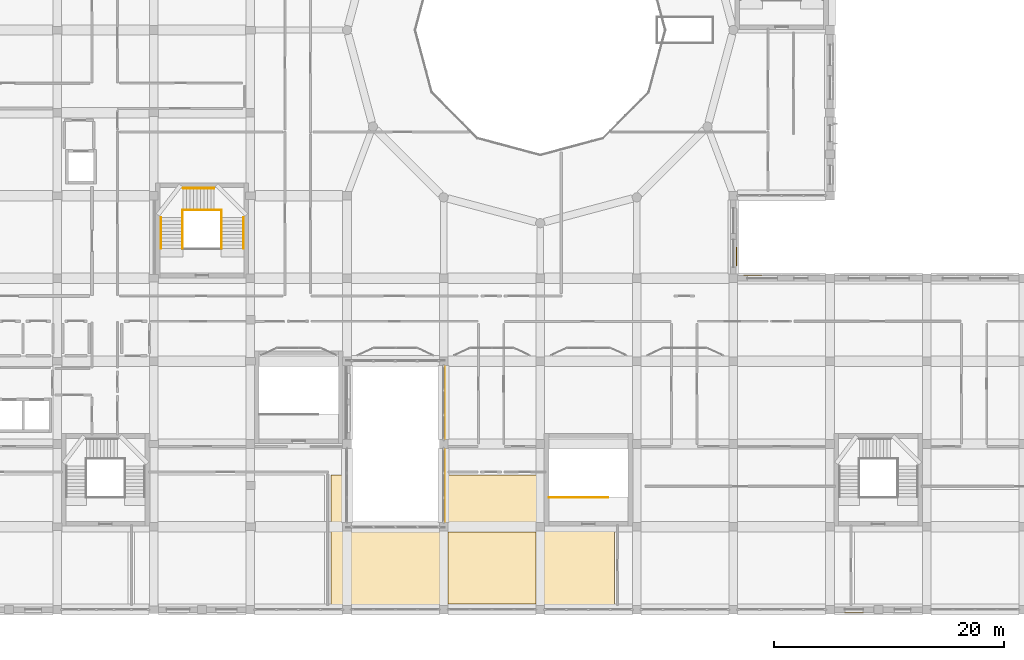
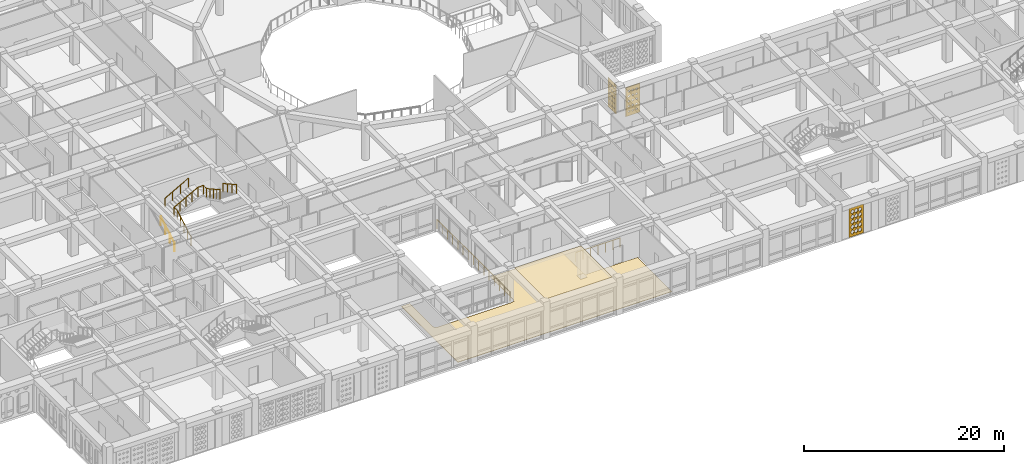
# One storey, part 96 of 121: 8 railings, 5 coverings.
"""IFC4 building model written with IfcOpenShell, lengths in metres."""

import ifcopenshell
import ifcopenshell.guid

model = None  # the IFC model being written
_history = None  # IfcOwnerHistory: only IFC2X3 demands one
_inside = {}  # id of a spatial element -> (the spatial element, [elements in it])
_under = {}  # id of a project, library or spatial element -> (it, [spatial elements below it])
_declared = {}  # id of a project -> (the project, [libraries it declares])
_typed = {}  # id of a type object -> (the type object, [elements of that type])
_made_of = {}  # id of a material, layer set ... -> (it, [elements and type objects made of it])


def new_model(schema):
    """Start an empty IFC model of exactly this schema.

    Asked for "IFC4X3", IfcOpenShell would pick the latest addendum, in which some entities
    have other attributes; the version numbers below select the first issue.
    IFC2X3 requires an IfcOwnerHistory on every rooted entity: one is made here for all.
    """
    global model, _history
    if schema == "IFC4X3":
        model = ifcopenshell.file(schema_version=(4, 3, 0, 0))
    else:
        model = ifcopenshell.file(schema=schema)
    _inside.clear()
    _under.clear()
    _declared.clear()
    _typed.clear()
    _made_of.clear()
    _history = None
    if model.schema == "IFC2X3":
        org = make("IfcOrganization", Name="unknown")
        user = make(
            "IfcPersonAndOrganization",
            ThePerson=make("IfcPerson", FamilyName="unknown"),
            TheOrganization=org,
        )
        app = make(
            "IfcApplication",
            ApplicationDeveloper=org,
            Version="unknown",
            ApplicationFullName="unknown",
            ApplicationIdentifier="unknown",
        )
        _history = make(
            "IfcOwnerHistory",
            OwningUser=user,
            OwningApplication=app,
            ChangeAction="ADDED",
            CreationDate=0,
        )
    return model


def make(cls, **values):
    """One entity of the class cls with the attributes given. An attribute that is None is left unset."""
    return model.create_entity(
        cls, **{name: value for name, value in values.items() if value is not None}
    )


def rooted(cls, **values):
    """An entity with a GlobalId (a new one), such as an element, a storey or a relation."""
    return make(cls, GlobalId=ifcopenshell.guid.new(), OwnerHistory=_history, **values)


def si_unit(unit_type, name, prefix=None):
    """IfcSIUnit, for example si_unit("LENGTHUNIT", "METRE", prefix="MILLI")."""
    return make("IfcSIUnit", UnitType=unit_type, Prefix=prefix, Name=name)


def derived_unit(unit_type, elements):
    """IfcDerivedUnit: a product of units, each with its exponent."""
    return make(
        "IfcDerivedUnit",
        Elements=[
            make("IfcDerivedUnitElement", Unit=unit, Exponent=power)
            for unit, power in elements
        ],
        UnitType=unit_type,
    )


def assignment(units):
    """IfcUnitAssignment: the units of a project."""
    return None if units is None else make("IfcUnitAssignment", Units=units)


def point(xyz):
    """IfcCartesianPoint."""
    return None if xyz is None else make("IfcCartesianPoint", Coordinates=xyz)


def direction(xyz):
    """IfcDirection."""
    return None if xyz is None else make("IfcDirection", DirectionRatios=xyz)


def frame(location, z_axis=None, x_axis=None):
    """IfcAxis2Placement3D, a coordinate frame: its origin and axes. An axis left out is left unset."""
    return make(
        "IfcAxis2Placement3D",
        Location=point(location),
        Axis=direction(z_axis),
        RefDirection=direction(x_axis),
    )


def frame_2d(location, x_axis=None):
    """IfcAxis2Placement2D, a coordinate frame in the plane: its origin and x axis."""
    return make(
        "IfcAxis2Placement2D", Location=point(location), RefDirection=direction(x_axis)
    )


def origin():
    """The frame at (0, 0, 0) with its axes left unset."""
    return frame((0.0, 0.0, 0.0))


def origin_2d():
    """The frame at (0, 0) in the plane with its x axis left unset."""
    return frame_2d((0.0, 0.0))


def place(relative_to, where):
    """IfcLocalPlacement: puts the frame where relative to a parent placement (None: the world)."""
    return make(
        "IfcLocalPlacement", PlacementRelTo=relative_to, RelativePlacement=where
    )


def context(
    kind, dimensions, precision=None, world=None, true_north=None, identifier=None
):
    """IfcGeometricRepresentationContext, for example the 3D "Model" context."""
    return make(
        "IfcGeometricRepresentationContext",
        ContextIdentifier=identifier,
        ContextType=kind,
        CoordinateSpaceDimension=dimensions,
        Precision=precision,
        WorldCoordinateSystem=world,
        TrueNorth=true_north,
    )


def subcontext(parent, identifier, kind, view, scale=None):
    """IfcGeometricRepresentationSubContext, for example "Body" below "Model"."""
    return make(
        "IfcGeometricRepresentationSubContext",
        ContextIdentifier=identifier,
        ContextType=kind,
        ParentContext=parent,
        TargetScale=scale,
        TargetView=view,
    )


def project(units=None, contexts=None):
    """IfcProject with its units and contexts."""
    return rooted(
        "IfcProject",
        Name="project",
        RepresentationContexts=contexts,
        UnitsInContext=assignment(units),
    )


def spatial(cls, under=None, at=None, **own):
    """A site, building, storey or space (cls), placed at a placement, below another one or the project."""
    s = rooted(cls, ObjectPlacement=at, **own)
    if under is not None:
        _under.setdefault(under.id(), (under, []))[1].append(s)
    return s


def polyline(points):
    """IfcPolyline through the points."""
    return make("IfcPolyline", Points=[point(p) for p in points])


def profile(cls, at=None, kind="AREA", **sizes):
    """A parametric profile (cls). Its sizes go by their IFC names, for example OverallWidth=200.0."""
    return make(cls, ProfileType=kind, Position=at, **sizes)


def circle(**sizes):
    """IfcCircleProfileDef."""
    return profile("IfcCircleProfileDef", **sizes)


def outline(outer, holes=None, kind="AREA"):
    """IfcArbitraryClosedProfileDef: a profile drawn as a closed curve; with holes, ...WithVoids."""
    if holes is None:
        return make("IfcArbitraryClosedProfileDef", ProfileType=kind, OuterCurve=outer)
    return make(
        "IfcArbitraryProfileDefWithVoids",
        ProfileType=kind,
        OuterCurve=outer,
        InnerCurves=holes,
    )


def extrude(swept, where, along, depth):
    """IfcExtrudedAreaSolid: the profile swept, set in the frame where, extruded along a direction by depth."""
    return make(
        "IfcExtrudedAreaSolid",
        SweptArea=swept,
        Position=where,
        ExtrudedDirection=direction(along),
        Depth=depth,
    )


def shape(context_of_items, identifier, shape_type, items):
    """IfcShapeRepresentation: the items that make up one representation, for example the "Body"."""
    return make(
        "IfcShapeRepresentation",
        ContextOfItems=context_of_items,
        RepresentationIdentifier=identifier,
        RepresentationType=shape_type,
        Items=items,
    )


def material(Name=None, Category=None):
    """IfcMaterial."""
    return make("IfcMaterial", Name=Name, Category=Category)


def layer(
    of_material, thickness, ventilated=None, Name=None, Category=None, Priority=None
):
    """IfcMaterialLayer: one layer of a wall or slab, of a material (None: an air gap)."""
    return make(
        "IfcMaterialLayer",
        Material=of_material,
        LayerThickness=thickness,
        IsVentilated=ventilated,
        Name=Name,
        Category=Category,
        Priority=Priority,
    )


def layer_set(layers, Name=None):
    """IfcMaterialLayerSet."""
    return make("IfcMaterialLayerSet", MaterialLayers=layers, LayerSetName=Name)


def made_of(thing, what):
    """Note that an element or type object is made of a material, layer set ...; save() writes the relation."""
    if what is not None:
        _made_of.setdefault(what.id(), (what, []))[1].append(thing)
    return thing


def type_object(cls, material=None, **own):
    """A type object (cls), such as IfcWallType, which elements share."""
    return made_of(rooted(cls, **own), material)


def element(
    cls,
    number,
    at=None,
    inside=None,
    cuts=None,
    type_object=None,
    material=None,
    context=None,
    identifier="Body",
    shape_type=None,
    held_by="IfcProductDefinitionShape",
    body=None,
    shapes=None,
    **own,
):
    """One element of the class cls, such as IfcWall. Its Tag is "e" and its number.

    at: its placement. inside: the storey or other place that contains it. cuts: it is an
    opening in that element (IfcRelVoidsElement). A single representation is given by context,
    identifier, shape_type and body (its items); several are given by shapes. held_by: the class
    of the entity that holds the representations. save() writes the other relations.
    """
    e = rooted(cls, Tag="e%d" % number, ObjectPlacement=at, **own)
    if body is not None:
        shapes = [shape(context, identifier, shape_type, body)]
    if shapes is not None:
        e.Representation = make(held_by, Representations=shapes)
    if inside is not None:
        _inside.setdefault(inside.id(), (inside, []))[1].append(e)
    if cuts is not None:
        rooted(
            "IfcRelVoidsElement", RelatingBuildingElement=cuts, RelatedOpeningElement=e
        )
    if type_object is not None:
        _typed.setdefault(type_object.id(), (type_object, []))[1].append(e)
    return made_of(e, material)


def aggregate(whole, parts):
    """IfcRelAggregates: a whole, such as a stair, and the parts it consists of."""
    return rooted("IfcRelAggregates", RelatingObject=whole, RelatedObjects=parts)


def save(model, path):
    """Write the relations noted so far, then the file.

    IfcRelAggregates (storeys below a building ...), IfcRelContainedInSpatialStructure (elements
    in a storey), IfcRelDefinesByType, IfcRelAssociatesMaterial and IfcRelDeclares: one each for
    every whole, place, type object, material and project.
    """
    for whole, parts in _under.values():
        aggregate(whole, parts)
    for where, things in _inside.values():
        rooted(
            "IfcRelContainedInSpatialStructure",
            RelatedElements=things,
            RelatingStructure=where,
        )
    for kind, things in _typed.values():
        rooted("IfcRelDefinesByType", RelatedObjects=things, RelatingType=kind)
    for what, things in _made_of.values():
        rooted("IfcRelAssociatesMaterial", RelatedObjects=things, RelatingMaterial=what)
    for by, libraries in _declared.values():
        rooted("IfcRelDeclares", RelatingContext=by, RelatedDefinitions=libraries)
    model.write(path)


model = new_model("IFC4")

# Units and contexts
model_context = context("Model", 3, precision=1e-05, world=origin(), true_north=direction((0.0, 1.0)))
body_context = subcontext(model_context, "Body", "Model", "MODEL_VIEW")
ifc_project = project(units=[si_unit("LENGTHUNIT", "METRE"), si_unit("AREAUNIT", "SQUARE_METRE"), si_unit("VOLUMEUNIT", "CUBIC_METRE"), si_unit("PLANEANGLEUNIT", "RADIAN"), si_unit("MASSUNIT", "GRAM", prefix="KILO"), derived_unit("THERMALTRANSMITTANCEUNIT", [(si_unit("POWERUNIT", "WATT"), 1), (si_unit("LENGTHUNIT", "METRE"), -2), (si_unit("THERMODYNAMICTEMPERATUREUNIT", "KELVIN"), -1)])], contexts=[model_context])

# Site, building, storey
site_placement = place(None, origin())
site = spatial("IfcSite", under=ifc_project, at=site_placement, CompositionType="ELEMENT")
building_placement = place(site_placement, origin())
building = spatial("IfcBuilding", under=site, at=building_placement, Name="Veybourne Emporium", CompositionType="ELEMENT")
storey_placement = place(building_placement, frame((0.0, 0.0, 5.39990234375)))
storey = spatial("IfcBuildingStorey", under=building, at=storey_placement, Name="L01", CompositionType="ELEMENT", Elevation=5.39990234375)

# Railing
ifc_material_1 = material(Name="Patinated Architectural Bronze", Category="bronze")
railing_type_1 = type_object("IfcRailingType", Name="Balustrade_BL-01", PredefinedType="BALUSTRADE", material=ifc_material_1)
railing_1_placement = place(storey_placement, frame((67.260009765625, 7.139892578125, 0.0)))
element("IfcRailing", 1, at=railing_1_placement, inside=storey, type_object=railing_type_1, Name="L01 shopping arcade gallery balustrade 2", PredefinedType="BALUSTRADE", context=body_context, shape_type="SweptSolid", body=[
    extrude(circle(Radius=0.02392578125, at=origin_2d()), frame((0.0, 0.0, 1.1259765625), z_axis=(0.0, 1.0, 0.0), x_axis=(-1.0, 0.0, 0.0)), (0.0, 0.0, 1.0), 14.52001953125),
    extrude(circle(Radius=0.02099609375, at=origin_2d()), origin(), (0.0, 0.0, 1.0), 1.101806640625),
    extrude(circle(Radius=0.02099609375, at=origin_2d()), frame((0.0, 1.037109375, 0.0)), (0.0, 0.0, 1.0), 1.101806640625),
    extrude(circle(Radius=0.02099609375, at=origin_2d()), frame((0.0, 2.07421875, 0.0)), (0.0, 0.0, 1.0), 1.101806640625),
    extrude(circle(Radius=0.02099609375, at=origin_2d()), frame((0.0, 3.111328125, 0.0)), (0.0, 0.0, 1.0), 1.101806640625),
    extrude(circle(Radius=0.02099609375, at=origin_2d()), frame((0.0, 4.148681640625, 0.0)), (0.0, 0.0, 1.0), 1.101806640625),
    extrude(circle(Radius=0.02099609375, at=origin_2d()), frame((0.0, 5.185791015625, 0.0)), (0.0, 0.0, 1.0), 1.101806640625),
    extrude(circle(Radius=0.02099609375, at=origin_2d()), frame((0.0, 6.222900390625, 0.0)), (0.0, 0.0, 1.0), 1.101806640625),
    extrude(circle(Radius=0.02099609375, at=origin_2d()), frame((0.0, 7.260009765625, 0.0)), (0.0, 0.0, 1.0), 1.101806640625),
    extrude(circle(Radius=0.02099609375, at=origin_2d()), frame((0.0, 8.297119140625, 0.0)), (0.0, 0.0, 1.0), 1.101806640625),
    extrude(circle(Radius=0.02099609375, at=origin_2d()), frame((0.0, 9.334228515625, 0.0)), (0.0, 0.0, 1.0), 1.101806640625),
    extrude(circle(Radius=0.02099609375, at=origin_2d()), frame((0.0, 10.371337890625, 0.0)), (0.0, 0.0, 1.0), 1.101806640625),
    extrude(circle(Radius=0.02099609375, at=origin_2d()), frame((0.0, 11.40869140625, 0.0)), (0.0, 0.0, 1.0), 1.101806640625),
    extrude(circle(Radius=0.02099609375, at=origin_2d()), frame((0.0, 12.44580078125, 0.0)), (0.0, 0.0, 1.0), 1.101806640625),
    extrude(circle(Radius=0.02099609375, at=origin_2d()), frame((0.0, 13.48291015625, 0.0)), (0.0, 0.0, 1.0), 1.101806640625),
    extrude(circle(Radius=0.02099609375, at=origin_2d()), frame((0.0, 14.52001953125, 0.0)), (0.0, 0.0, 1.0), 1.101806640625),
])

# Coverings
ifc_material_2 = material(Name="Mineral Acoustic Ceiling", Category="gypsum")
ifc_layer_1 = layer(ifc_material_2, 0.02490234375)
ifc_layer_set_1 = layer_set([ifc_layer_1], Name="Mineral Acoustic Ceiling")
covering_type_1 = type_object("IfcCoveringType", Name="Ceiling_CLG-01", PredefinedType="CEILING", material=ifc_layer_set_1)
covering_1_placement = place(storey_placement, frame((0.0, 0.0, 4.155029296875)))
element("IfcCovering", 2, at=covering_1_placement, inside=storey, type_object=covering_type_1, Name="L01 coffered acoustic ceiling 03", PredefinedType="CEILING", context=body_context, shape_type="SweptSolid", body=[
    extrude(outline(polyline([(67.574951171875, 6.820068359375), (67.574951171875, 6.751953125), (75.22509765625, 6.751953125), (75.22509765625, 6.820068359375), (75.22705078125, 6.820068359375), (75.22705078125, 0.43994140625), (75.22509765625, 0.43994140625), (75.22509765625, 0.472900390625), (67.574951171875, 0.472900390625), (67.574951171875, 0.43994140625), (67.572998046875, 0.43994140625), (67.572998046875, 6.820068359375), (67.574951171875, 6.820068359375)])), origin(), (0.0, 0.0, 1.0), 0.025146484375),
])
ifc_material_3 = material(Name="Venetian Terrazzo Flooring", Category="masonry")
ifc_layer_2 = layer(ifc_material_3, 0.044921875)
ifc_layer_set_2 = layer_set([ifc_layer_2], Name="Venetian Terrazzo Flooring")
covering_type_2 = type_object("IfcCoveringType", Name="Flooring_FLR-01", PredefinedType="FLOORING", material=ifc_layer_set_2)
covering_2_placement = place(storey_placement, origin())
element("IfcCovering", 3, at=covering_2_placement, inside=storey, type_object=covering_type_2, Name="L01 floor finish 03", PredefinedType="FLOORING", context=body_context, shape_type="SweptSolid", body=[
    extrude(outline(polyline([(58.3603515625, 7.190185546875), (58.361328125, 7.166748046875), (58.36328125, 7.147216796875), (58.36669921875, 7.123779296875), (58.37060546875, 7.1044921875), (58.376220703125, 7.081787109375), (58.382080078125, 7.06298828125), (58.389892578125, 7.040771484375), (58.3974609375, 7.022705078125), (58.407470703125, 7.00146484375), (58.416748046875, 6.984130859375), (58.419921875, 6.978759765625), (58.419921875, 6.820068359375), (58.57861328125, 6.820068359375), (58.583984375, 6.81689453125), (58.601318359375, 6.8076171875), (58.62255859375, 6.79736328125), (58.640625, 6.7900390625), (58.662841796875, 6.781982421875), (58.681640625, 6.7763671875), (58.70458984375, 6.7705078125), (58.723876953125, 6.766845703125), (58.7470703125, 6.763427734375), (58.7666015625, 6.761474609375), (58.7900390625, 6.76025390625), (58.800048828125, 6.760009765625), (67.199951171875, 6.760009765625), (67.2099609375, 6.76025390625), (67.2333984375, 6.761474609375), (67.2529296875, 6.763427734375), (67.276123046875, 6.766845703125), (67.29541015625, 6.7705078125), (67.318359375, 6.7763671875), (67.337158203125, 6.781982421875), (67.359375, 6.7900390625), (67.37744140625, 6.79736328125), (67.398681640625, 6.8076171875), (67.416015625, 6.81689453125), (67.42138671875, 6.820068359375), (67.580078125, 6.820068359375), (67.580078125, 6.978759765625), (67.583251953125, 6.984130859375), (67.592529296875, 7.00146484375), (67.6025390625, 7.022705078125), (67.610107421875, 7.040771484375), (67.617919921875, 7.06298828125), (67.623779296875, 7.081787109375), (67.62939453125, 7.1044921875), (67.63330078125, 7.123779296875), (67.63671875, 7.147216796875), (67.638671875, 7.166748046875), (67.6396484375, 7.190185546875), (67.639892578125, 7.199951171875), (67.639892578125, 11.68994140625), (75.989990234375, 11.68994140625), (75.989990234375, 7.64990234375), (75.990234375, 7.64013671875), (75.990966796875, 7.62451171875), (75.992919921875, 7.60498046875), (75.9951171875, 7.589599609375), (75.9990234375, 7.570068359375), (76.0029296875, 7.554931640625), (76.008544921875, 7.5361328125), (76.013916015625, 7.521484375), (76.021484375, 7.503173828125), (76.028076171875, 7.489013671875), (76.037353515625, 7.4716796875), (76.04541015625, 7.458251953125), (76.056396484375, 7.44189453125), (76.065673828125, 7.42919921875), (76.078125, 7.414306640625), (76.088623046875, 7.402587890625), (76.1025390625, 7.388671875), (76.1142578125, 7.378173828125), (76.12939453125, 7.36572265625), (76.141845703125, 7.3564453125), (76.158203125, 7.345458984375), (76.171875, 7.33740234375), (76.18896484375, 7.328125), (76.203369140625, 7.3212890625), (76.221435546875, 7.31396484375), (76.236083984375, 7.30859375), (76.2548828125, 7.302978515625), (76.270263671875, 7.299072265625), (76.28955078125, 7.295166015625), (76.304931640625, 7.29296875), (76.324462890625, 7.291015625), (76.340087890625, 7.290283203125), (76.35009765625, 7.2900390625), (82.050048828125, 7.2900390625), (82.050048828125, 0.43994140625), (57.409912109375, 0.43994140625), (57.409912109375, 11.68994140625), (58.360107421875, 11.68994140625), (58.360107421875, 7.199951171875), (58.3603515625, 7.190185546875)]), holes=[polyline([(75.97998046875, 7.580078125), (75.219970703125, 7.580078125), (75.219970703125, 6.820068359375), (75.97998046875, 6.820068359375), (75.97998046875, 7.580078125)])]), origin(), (0.0, 0.0, 1.0), 0.045166015625),
])

# Railings
ifc_material_4 = material(Name="Brushed Stainless Steel", Category="steel")
railing_type_2 = type_object("IfcRailingType", Name="Guard_GR-01", PredefinedType="GUARDRAIL", material=ifc_material_4)
railing_2_placement = place(storey_placement, frame((44.510009765625, 31.39990234375, 0.0)))
element("IfcRailing", 4, at=railing_2_placement, inside=storey, type_object=railing_type_2, Name="L01 ST-05 stair guard 1", PredefinedType="GUARDRAIL", context=body_context, shape_type="SweptSolid", body=[
    extrude(circle(Radius=0.02392578125, at=origin_2d()), frame((0.0, 0.0, 1.1259765625), z_axis=(0.0, 0.874172188743, 0.48561608749), x_axis=(-1.0, 0.0, 0.0)), (0.0, 0.0, 1.0), 3.0888671875),
    extrude(circle(Radius=0.02392578125, at=origin_2d()), frame((0.0, 2.7001953125, 2.6259765625), z_axis=(0.0, 1.0, 0.0), x_axis=(-1.0, 0.0, 0.0)), (0.0, 0.0, 1.0), 0.639892578125),
    extrude(circle(Radius=0.02099609375, at=origin_2d()), origin(), (0.0, 0.0, 1.0), 1.101806640625),
    extrude(circle(Radius=0.02099609375, at=origin_2d()), frame((0.0, 0.675048828125, 0.375)), (0.0, 0.0, 1.0), 1.101806640625),
    extrude(circle(Radius=0.02099609375, at=origin_2d()), frame((0.0, 1.35009765625, 0.75)), (0.0, 0.0, 1.0), 1.101806640625),
    extrude(circle(Radius=0.02099609375, at=origin_2d()), frame((0.0, 2.025146484375, 1.125)), (0.0, 0.0, 1.0), 1.101806640625),
    extrude(circle(Radius=0.02099609375, at=origin_2d()), frame((0.0, 2.7001953125, 1.5)), (0.0, 0.0, 1.0), 1.101806640625),
    extrude(circle(Radius=0.02099609375, at=origin_2d()), frame((0.0, 3.340087890625, 1.5)), (0.0, 0.0, 1.0), 1.101806640625),
])
railing_3_placement = place(storey_placement, frame((44.510009765625, 34.739990234375, 1.5)))
element("IfcRailing", 5, at=railing_3_placement, inside=storey, type_object=railing_type_2, Name="L01 ST-05 stair guard 2", PredefinedType="GUARDRAIL", context=body_context, shape_type="SweptSolid", body=[
    extrude(circle(Radius=0.02392578125, at=origin_2d()), frame((0.0, 0.0, 1.1259765625), z_axis=(0.87715976088, 0.0, 0.480198660861), x_axis=(0.0, 1.0, 0.0)), (0.0, 0.0, 1.0), 3.123779296875),
    extrude(circle(Radius=0.02392578125, at=origin_2d()), frame((2.739990234375, 0.0, 2.6259765625), z_axis=(1.0, 0.0, 0.0), x_axis=(0.0, 1.0, 0.0)), (0.0, 0.0, 1.0), 0.639892578125),
    extrude(circle(Radius=0.02099609375, at=origin_2d()), origin(), (0.0, 0.0, 1.0), 1.101806640625),
    extrude(circle(Radius=0.02099609375, at=origin_2d()), frame((0.68505859375, 0.0, 0.375)), (0.0, 0.0, 1.0), 1.101806640625),
    extrude(circle(Radius=0.02099609375, at=origin_2d()), frame((1.3701171875, 0.0, 0.75)), (0.0, 0.0, 1.0), 1.101806640625),
    extrude(circle(Radius=0.02099609375, at=origin_2d()), frame((2.054931640625, 0.0, 1.125)), (0.0, 0.0, 1.0), 1.101806640625),
    extrude(circle(Radius=0.02099609375, at=origin_2d()), frame((2.739990234375, 0.0, 1.5)), (0.0, 0.0, 1.0), 1.101806640625),
    extrude(circle(Radius=0.02099609375, at=origin_2d()), frame((3.3798828125, 0.0, 1.5)), (0.0, 0.0, 1.0), 1.101806640625),
])
railing_4_placement = place(storey_placement, frame((47.889892578125, 34.739990234375, 3.0)))
element("IfcRailing", 6, at=railing_4_placement, inside=storey, type_object=railing_type_2, Name="L01 ST-05 stair guard 3", PredefinedType="GUARDRAIL", context=body_context, shape_type="SweptSolid", body=[
    extrude(circle(Radius=0.02392578125, at=origin_2d()), frame((0.0, 0.0, 1.1259765625), z_axis=(0.0, -1.0, 0.0), x_axis=(1.0, 0.0, 0.0)), (0.0, 0.0, 1.0), 0.639892578125),
    extrude(circle(Radius=0.02392578125, at=origin_2d()), frame((0.0, -0.639892578125, 1.1259765625), z_axis=(0.0, -0.874172188743, 0.48561608749), x_axis=(1.0, 0.0, 0.0)), (0.0, 0.0, 1.0), 3.0888671875),
    extrude(circle(Radius=0.02099609375, at=origin_2d()), origin(), (0.0, 0.0, 1.0), 1.101806640625),
    extrude(circle(Radius=0.02099609375, at=origin_2d()), frame((0.0, -0.639892578125, 0.0)), (0.0, 0.0, 1.0), 1.101806640625),
    extrude(circle(Radius=0.02099609375, at=origin_2d()), frame((0.0, -1.31494140625, 0.375)), (0.0, 0.0, 1.0), 1.101806640625),
    extrude(circle(Radius=0.02099609375, at=origin_2d()), frame((0.0, -1.989990234375, 0.75)), (0.0, 0.0, 1.0), 1.101806640625),
    extrude(circle(Radius=0.02099609375, at=origin_2d()), frame((0.0, -2.6650390625, 1.125)), (0.0, 0.0, 1.0), 1.101806640625),
    extrude(circle(Radius=0.02099609375, at=origin_2d()), frame((0.0, -3.340087890625, 1.5)), (0.0, 0.0, 1.0), 1.101806640625),
])
railing_5_placement = place(storey_placement, frame((76.3701171875, 9.760009765625, 0.0)))
element("IfcRailing", 7, at=railing_5_placement, inside=storey, type_object=railing_type_2, Name="L01 ST-10 top well guardrail", PredefinedType="GUARDRAIL", context=body_context, shape_type="SweptSolid", body=[
    extrude(circle(Radius=0.02392578125, at=origin_2d()), frame((0.0, 0.0, 1.1259765625), z_axis=(1.0, 0.0, 0.0), x_axis=(0.0, 1.0, 0.0)), (0.0, 0.0, 1.0), 5.119873046875),
    extrude(circle(Radius=0.02099609375, at=origin_2d()), origin(), (0.0, 0.0, 1.0), 1.101806640625),
    extrude(circle(Radius=0.02099609375, at=origin_2d()), frame((0.853271484375, 0.0, 0.0)), (0.0, 0.0, 1.0), 1.101806640625),
    extrude(circle(Radius=0.02099609375, at=origin_2d()), frame((1.70654296875, 0.0, 0.0)), (0.0, 0.0, 1.0), 1.101806640625),
    extrude(circle(Radius=0.02099609375, at=origin_2d()), frame((2.56005859375, 0.0, 0.0)), (0.0, 0.0, 1.0), 1.101806640625),
    extrude(circle(Radius=0.02099609375, at=origin_2d()), frame((3.413330078125, 0.0, 0.0)), (0.0, 0.0, 1.0), 1.101806640625),
    extrude(circle(Radius=0.02099609375, at=origin_2d()), frame((4.2666015625, 0.0, 0.0)), (0.0, 0.0, 1.0), 1.101806640625),
    extrude(circle(Radius=0.02099609375, at=origin_2d()), frame((5.119873046875, 0.0, 0.0)), (0.0, 0.0, 1.0), 1.101806640625),
])
railing_type_3 = type_object("IfcRailingType", Name="Handrail_HR-01", PredefinedType="HANDRAIL", material=ifc_material_4)
railing_6_placement = place(storey_placement, frame((42.610107421875, 31.39990234375, 0.150146484375)))
element("IfcRailing", 8, at=railing_6_placement, inside=storey, type_object=railing_type_3, Name="L01 ST-05 pitch handrail 1", PredefinedType="HANDRAIL", context=body_context, shape_type="SweptSolid", body=[
    extrude(circle(Radius=0.02392578125, at=origin_2d()), frame((0.0, 0.0, 0.92578125), z_axis=(0.0, 0.874172188743, 0.48561608749), x_axis=(-1.0, 0.0, 0.0)), (0.0, 0.0, 1.0), 3.0888671875),
    extrude(circle(Radius=0.02099609375, at=origin_2d()), frame((0.0, 0.0, -0.14990234375)), (0.0, 0.0, 1.0), 1.0517578125),
    extrude(circle(Radius=0.02099609375, at=origin_2d()), frame((0.0, 0.900146484375, 0.35009765625)), (0.0, 0.0, 1.0), 1.0517578125),
    extrude(circle(Radius=0.02099609375, at=origin_2d()), frame((0.0, 1.800048828125, 0.85009765625)), (0.0, 0.0, 1.0), 1.0517578125),
    extrude(circle(Radius=0.02099609375, at=origin_2d()), frame((0.0, 2.7001953125, 1.35009765625)), (0.0, 0.0, 1.0), 1.0517578125),
])
railing_7_placement = place(storey_placement, frame((44.550048828125, 36.639892578125, 1.650146484375)))
element("IfcRailing", 9, at=railing_7_placement, inside=storey, type_object=railing_type_3, Name="L01 ST-05 pitch handrail 2", PredefinedType="HANDRAIL", context=body_context, shape_type="SweptSolid", body=[
    extrude(circle(Radius=0.02392578125, at=origin_2d()), frame((0.0, 0.0, 0.92578125), z_axis=(0.87415354758, 0.0, 0.485649642493), x_axis=(0.0, 1.0, 0.0)), (0.0, 0.0, 1.0), 3.088623046875),
    extrude(circle(Radius=0.02099609375, at=origin_2d()), frame((0.0, 0.0, -0.14990234375)), (0.0, 0.0, 1.0), 1.0517578125),
    extrude(circle(Radius=0.02099609375, at=origin_2d()), frame((0.89990234375, 0.0, 0.35009765625)), (0.0, 0.0, 1.0), 1.0517578125),
    extrude(circle(Radius=0.02099609375, at=origin_2d()), frame((1.800048828125, 0.0, 0.85009765625)), (0.0, 0.0, 1.0), 1.0517578125),
    extrude(circle(Radius=0.02099609375, at=origin_2d()), frame((2.699951171875, 0.0, 1.35009765625)), (0.0, 0.0, 1.0), 1.0517578125),
])
railing_8_placement = place(storey_placement, frame((49.7900390625, 34.10009765625, 3.150146484375)))
element("IfcRailing", 10, at=railing_8_placement, inside=storey, type_object=railing_type_3, Name="L01 ST-05 pitch handrail 3", PredefinedType="HANDRAIL", context=body_context, shape_type="SweptSolid", body=[
    extrude(circle(Radius=0.02392578125, at=origin_2d()), frame((0.0, 0.0, 0.92578125), z_axis=(0.0, -0.874172188743, 0.48561608749), x_axis=(1.0, 0.0, 0.0)), (0.0, 0.0, 1.0), 3.0888671875),
    extrude(circle(Radius=0.02099609375, at=origin_2d()), frame((0.0, 0.0, -0.14990234375)), (0.0, 0.0, 1.0), 1.0517578125),
    extrude(circle(Radius=0.02099609375, at=origin_2d()), frame((0.0, -0.900146484375, 0.35009765625)), (0.0, 0.0, 1.0), 1.0517578125),
    extrude(circle(Radius=0.02099609375, at=origin_2d()), frame((0.0, -1.800048828125, 0.85009765625)), (0.0, 0.0, 1.0), 1.0517578125),
    extrude(circle(Radius=0.02099609375, at=origin_2d()), frame((0.0, -2.7001953125, 1.35009765625)), (0.0, 0.0, 1.0), 1.0517578125),
])

# Coverings
ifc_material_5 = material(Name="Warm-White Perforated Aluminium Screen Alloy", Category="aluminium")
ifc_layer_3 = layer(ifc_material_5, 0.06005859375)
ifc_layer_set_3 = layer_set([ifc_layer_3], Name="Warm-White Perforated Aluminium Screen Alloy")
covering_type_3 = type_object("IfcCoveringType", Name="WaveScreen_SCR-01", PredefinedType="CLADDING", material=ifc_layer_set_3)
covering_3_placement = place(storey_placement, frame((92.697998046875, 30.719970703125, 1.815185546875), z_axis=(-1.0, 0.0, 0.0), x_axis=(0.0, -1.0, 0.0)))
element("IfcCovering", 11, at=covering_3_placement, inside=storey, type_object=covering_type_3, Name="L01 wave-perforated aluminium screen SCR-01 (44.3)", PredefinedType="CLADDING", context=body_context, shape_type="SweptSolid", body=[
    extrude(outline(polyline([(-0.81982421875, -1.7548828125), (0.81982421875, -1.7548828125), (0.81982421875, 1.7548828125), (-0.81982421875, 1.7548828125), (-0.81982421875, -1.7548828125)]), holes=[polyline([(-0.433349609375, -1.111328125), (-0.327880859375, -1.18603515625), (-0.327880859375, -1.27001953125), (-0.433349609375, -1.344482421875), (-0.538818359375, -1.27001953125), (-0.538818359375, -1.18603515625), (-0.433349609375, -1.111328125)]), polyline([(-0.433349609375, -0.49072265625), (-0.322509765625, -0.569580078125), (-0.322509765625, -0.658447265625), (-0.433349609375, -0.7373046875), (-0.544189453125, -0.658447265625), (-0.544189453125, -0.569580078125), (-0.433349609375, -0.49072265625)]), polyline([(-0.433349609375, 0.1318359375), (-0.3154296875, 0.047607421875), (-0.3154296875, -0.047607421875), (-0.433349609375, -0.1318359375), (-0.55126953125, -0.047607421875), (-0.55126953125, 0.047607421875), (-0.433349609375, 0.1318359375)]), polyline([(-0.433349609375, 0.75634765625), (-0.306884765625, 0.665283203125), (-0.306884765625, 0.562744140625), (-0.433349609375, 0.4716796875), (-0.559814453125, 0.562744140625), (-0.559814453125, 0.665283203125), (-0.433349609375, 0.75634765625)]), polyline([(-0.433349609375, 1.38232421875), (-0.297119140625, 1.28369140625), (-0.297119140625, 1.17236328125), (-0.433349609375, 1.07373046875), (-0.569580078125, 1.17236328125), (-0.569580078125, 1.28369140625), (-0.433349609375, 1.38232421875)]), polyline([(0.0, -1.11376953125), (0.103515625, -1.18701171875), (0.103515625, -1.26904296875), (0.0, -1.34228515625), (-0.103515625, -1.26904296875), (-0.103515625, -1.18701171875), (0.0, -1.11376953125)]), polyline([(0.0, -0.494140625), (0.108154296875, -0.57080078125), (0.108154296875, -0.6572265625), (0.0, -0.73388671875), (-0.108154296875, -0.6572265625), (-0.108154296875, -0.57080078125), (0.0, -0.494140625)]), polyline([(0.0, 0.127685546875), (0.114501953125, 0.0458984375), (0.114501953125, -0.0458984375), (0.0, -0.127685546875), (-0.114501953125, -0.0458984375), (-0.114501953125, 0.0458984375), (0.0, 0.127685546875)]), polyline([(0.0, 0.75146484375), (0.122314453125, 0.66357421875), (0.122314453125, 0.564453125), (0.0, 0.4765625), (-0.122314453125, 0.564453125), (-0.122314453125, 0.66357421875), (0.0, 0.75146484375)]), polyline([(0.0, 1.376708984375), (0.131591796875, 1.281494140625), (0.131591796875, 1.17431640625), (0.0, 1.0791015625), (-0.131591796875, 1.17431640625), (-0.131591796875, 1.281494140625), (0.0, 1.376708984375)]), polyline([(0.433349609375, -1.115478515625), (0.535400390625, -1.1875), (0.535400390625, -1.2685546875), (0.433349609375, -1.340576171875), (0.331298828125, -1.2685546875), (0.331298828125, -1.1875), (0.433349609375, -1.115478515625)]), polyline([(0.433349609375, -0.496826171875), (0.5390625, -0.57177734375), (0.5390625, -0.65625), (0.433349609375, -0.731201171875), (0.327392578125, -0.65625), (0.327392578125, -0.57177734375), (0.433349609375, -0.496826171875)]), polyline([(0.433349609375, 0.1240234375), (0.544677734375, 0.044677734375), (0.544677734375, -0.044677734375), (0.433349609375, -0.1240234375), (0.322021484375, -0.044677734375), (0.322021484375, 0.044677734375), (0.433349609375, 0.1240234375)]), polyline([(0.433349609375, 0.746826171875), (0.552001953125, 0.661865234375), (0.552001953125, 0.566162109375), (0.433349609375, 0.481201171875), (0.314697265625, 0.566162109375), (0.314697265625, 0.661865234375), (0.433349609375, 0.746826171875)]), polyline([(0.433349609375, 1.371337890625), (0.560791015625, 1.279541015625), (0.560791015625, 1.176513671875), (0.433349609375, 1.084716796875), (0.305908203125, 1.176513671875), (0.305908203125, 1.279541015625), (0.433349609375, 1.371337890625)])]), origin(), (0.0, 0.0, 1.0), 0.06005859375),
])
ifc_layer_4 = layer(ifc_material_5, 0.06005859375)
ifc_layer_set_4 = layer_set([ifc_layer_4], Name="Warm-White Perforated Aluminium Screen Alloy")
covering_type_4 = type_object("IfcCoveringType", Name="WaveScreen_SCR-02", PredefinedType="CLADDING", material=ifc_layer_set_4)
covering_4_placement = place(storey_placement, frame((94.080078125, 29.09814453125, 1.815185546875), z_axis=(0.0, -1.0, 0.0), x_axis=(1.0, 0.0, 0.0)))
element("IfcCovering", 12, at=covering_4_placement, inside=storey, type_object=covering_type_4, Name="L01 wave-perforated aluminium screen SCR-02 (47.1)", PredefinedType="CLADDING", context=body_context, shape_type="SweptSolid", body=[
    extrude(outline(polyline([(-0.81982421875, -1.7548828125), (0.81982421875, -1.7548828125), (0.81982421875, 1.7548828125), (-0.81982421875, 1.7548828125), (-0.81982421875, -1.7548828125)]), holes=[polyline([(-0.433349609375, -1.1162109375), (-0.331787109375, -1.187744140625), (-0.331787109375, -1.268310546875), (-0.433349609375, -1.339599609375), (-0.53466796875, -1.268310546875), (-0.53466796875, -1.187744140625), (-0.433349609375, -1.1162109375)]), polyline([(-0.433349609375, -0.498291015625), (-0.32861328125, -0.572265625), (-0.32861328125, -0.65576171875), (-0.433349609375, -0.729736328125), (-0.5380859375, -0.65576171875), (-0.5380859375, -0.572265625), (-0.433349609375, -0.498291015625)]), polyline([(-0.433349609375, 0.1220703125), (-0.323486328125, 0.0439453125), (-0.323486328125, -0.0439453125), (-0.433349609375, -0.1220703125), (-0.543212890625, -0.0439453125), (-0.543212890625, 0.0439453125), (-0.433349609375, 0.1220703125)]), polyline([(-0.433349609375, 0.744384765625), (-0.316650390625, 0.660888671875), (-0.316650390625, 0.567138671875), (-0.433349609375, 0.483642578125), (-0.550048828125, 0.567138671875), (-0.550048828125, 0.660888671875), (-0.433349609375, 0.744384765625)]), polyline([(-0.433349609375, 1.36865234375), (-0.308349609375, 1.278564453125), (-0.308349609375, 1.177490234375), (-0.433349609375, 1.08740234375), (-0.558349609375, 1.177490234375), (-0.558349609375, 1.278564453125), (-0.433349609375, 1.36865234375)]), polyline([(0.0, -1.11474609375), (0.1025390625, -1.187255859375), (0.1025390625, -1.268798828125), (0.0, -1.34130859375), (-0.1025390625, -1.268798828125), (-0.1025390625, -1.187255859375), (0.0, -1.11474609375)]), polyline([(0.0, -0.49560546875), (0.106689453125, -0.5712890625), (0.106689453125, -0.656494140625), (0.0, -0.732421875), (-0.106689453125, -0.656494140625), (-0.106689453125, -0.5712890625), (0.0, -0.49560546875)]), polyline([(0.0, 0.12548828125), (0.11279296875, 0.045166015625), (0.11279296875, -0.045166015625), (0.0, -0.12548828125), (-0.11279296875, -0.045166015625), (-0.11279296875, 0.045166015625), (0.0, 0.12548828125)]), polyline([(0.0, 0.748779296875), (0.120361328125, 0.66259765625), (0.120361328125, 0.5654296875), (0.0, 0.479248046875), (-0.120361328125, 0.5654296875), (-0.120361328125, 0.66259765625), (0.0, 0.748779296875)]), polyline([(0.0, 1.373779296875), (0.12939453125, 1.280517578125), (0.12939453125, 1.175537109375), (0.0, 1.082275390625), (-0.12939453125, 1.175537109375), (-0.12939453125, 1.280517578125), (0.0, 1.373779296875)]), polyline([(0.433349609375, -1.11279296875), (0.53759765625, -1.1865234375), (0.53759765625, -1.26953125), (0.433349609375, -1.34326171875), (0.3291015625, -1.26953125), (0.3291015625, -1.1865234375), (0.433349609375, -1.11279296875)]), polyline([(0.433349609375, -0.49267578125), (0.54248046875, -0.5703125), (0.54248046875, -0.65771484375), (0.433349609375, -0.7353515625), (0.323974609375, -0.65771484375), (0.323974609375, -0.5703125), (0.433349609375, -0.49267578125)]), polyline([(0.433349609375, 0.129638671875), (0.54931640625, 0.046630859375), (0.54931640625, -0.046630859375), (0.433349609375, -0.129638671875), (0.3173828125, -0.046630859375), (0.3173828125, 0.046630859375), (0.433349609375, 0.129638671875)]), polyline([(0.433349609375, 0.753662109375), (0.5576171875, 0.664306640625), (0.5576171875, 0.563720703125), (0.433349609375, 0.474365234375), (0.30908203125, 0.563720703125), (0.30908203125, 0.664306640625), (0.433349609375, 0.753662109375)]), polyline([(0.433349609375, 1.379150390625), (0.567138671875, 1.282470703125), (0.567138671875, 1.173583984375), (0.433349609375, 1.076904296875), (0.299560546875, 1.173583984375), (0.299560546875, 1.282470703125), (0.433349609375, 1.379150390625)])]), origin(), (0.0, 0.0, 1.0), 0.06005859375),
])
ifc_layer_5 = layer(ifc_material_5, 0.06005859375)
ifc_layer_set_5 = layer_set([ifc_layer_5], Name="Warm-White Perforated Aluminium Screen Alloy")
covering_type_5 = type_object("IfcCoveringType", Name="WaveScreen_SCR-04", PredefinedType="CLADDING", material=ifc_layer_set_5)
covering_5_placement = place(storey_placement, frame((102.887451171875, -0.298095703125, 1.815185546875), z_axis=(0.0, 1.0, 0.0), x_axis=(-1.0, 0.0, 0.0)))
element("IfcCovering", 13, at=covering_5_placement, inside=storey, type_object=covering_type_5, Name="L01 wave-perforated aluminium screen SCR-04 (61B.1)", PredefinedType="CLADDING", context=body_context, shape_type="SweptSolid", body=[
    extrude(outline(polyline([(-0.81982421875, -1.7548828125), (0.81982421875, -1.7548828125), (0.81982421875, 1.7548828125), (-0.81982421875, 1.7548828125), (-0.81982421875, -1.7548828125)]), holes=[polyline([(-0.433349609375, -0.964111328125), (-0.2470703125, -1.133056640625), (-0.2470703125, -1.322998046875), (-0.433349609375, -1.491943359375), (-0.61962890625, -1.322998046875), (-0.61962890625, -1.133056640625), (-0.433349609375, -0.964111328125)]), polyline([(-0.433349609375, -0.35009765625), (-0.2470703125, -0.51904296875), (-0.2470703125, -0.708984375), (-0.433349609375, -0.8779296875), (-0.61962890625, -0.708984375), (-0.61962890625, -0.51904296875), (-0.433349609375, -0.35009765625)]), polyline([(-0.433349609375, 0.263916015625), (-0.2470703125, 0.094970703125), (-0.2470703125, -0.094970703125), (-0.433349609375, -0.263916015625), (-0.61962890625, -0.094970703125), (-0.61962890625, 0.094970703125), (-0.433349609375, 0.263916015625)]), polyline([(-0.433349609375, 0.8779296875), (-0.2470703125, 0.708984375), (-0.2470703125, 0.51904296875), (-0.433349609375, 0.35009765625), (-0.61962890625, 0.51904296875), (-0.61962890625, 0.708984375), (-0.433349609375, 0.8779296875)]), polyline([(-0.433349609375, 1.491943359375), (-0.2470703125, 1.322998046875), (-0.2470703125, 1.133056640625), (-0.433349609375, 0.964111328125), (-0.61962890625, 1.133056640625), (-0.61962890625, 1.322998046875), (-0.433349609375, 1.491943359375)]), polyline([(0.0, -0.964111328125), (0.186279296875, -1.133056640625), (0.186279296875, -1.322998046875), (0.0, -1.491943359375), (-0.186279296875, -1.322998046875), (-0.186279296875, -1.133056640625), (0.0, -0.964111328125)]), polyline([(0.0, -0.35009765625), (0.186279296875, -0.51904296875), (0.186279296875, -0.708984375), (0.0, -0.8779296875), (-0.186279296875, -0.708984375), (-0.186279296875, -0.51904296875), (0.0, -0.35009765625)]), polyline([(0.0, 0.263916015625), (0.186279296875, 0.094970703125), (0.186279296875, -0.094970703125), (0.0, -0.263916015625), (-0.186279296875, -0.094970703125), (-0.186279296875, 0.094970703125), (0.0, 0.263916015625)]), polyline([(0.0, 0.8779296875), (0.186279296875, 0.708984375), (0.186279296875, 0.51904296875), (0.0, 0.35009765625), (-0.186279296875, 0.51904296875), (-0.186279296875, 0.708984375), (0.0, 0.8779296875)]), polyline([(0.0, 1.491943359375), (0.186279296875, 1.322998046875), (0.186279296875, 1.133056640625), (0.0, 0.964111328125), (-0.186279296875, 1.133056640625), (-0.186279296875, 1.322998046875), (0.0, 1.491943359375)]), polyline([(0.433349609375, -0.964111328125), (0.61962890625, -1.133056640625), (0.61962890625, -1.322998046875), (0.433349609375, -1.491943359375), (0.2470703125, -1.322998046875), (0.2470703125, -1.133056640625), (0.433349609375, -0.964111328125)]), polyline([(0.433349609375, -0.35009765625), (0.61962890625, -0.51904296875), (0.61962890625, -0.708984375), (0.433349609375, -0.8779296875), (0.2470703125, -0.708984375), (0.2470703125, -0.51904296875), (0.433349609375, -0.35009765625)]), polyline([(0.433349609375, 0.263916015625), (0.61962890625, 0.094970703125), (0.61962890625, -0.094970703125), (0.433349609375, -0.263916015625), (0.2470703125, -0.094970703125), (0.2470703125, 0.094970703125), (0.433349609375, 0.263916015625)]), polyline([(0.433349609375, 0.8779296875), (0.61962890625, 0.708984375), (0.61962890625, 0.51904296875), (0.433349609375, 0.35009765625), (0.2470703125, 0.51904296875), (0.2470703125, 0.708984375), (0.433349609375, 0.8779296875)]), polyline([(0.433349609375, 1.491943359375), (0.61962890625, 1.322998046875), (0.61962890625, 1.133056640625), (0.433349609375, 0.964111328125), (0.2470703125, 1.133056640625), (0.2470703125, 1.322998046875), (0.433349609375, 1.491943359375)])]), origin(), (0.0, 0.0, 1.0), 0.06005859375),
])

save(model, "model.ifc")
